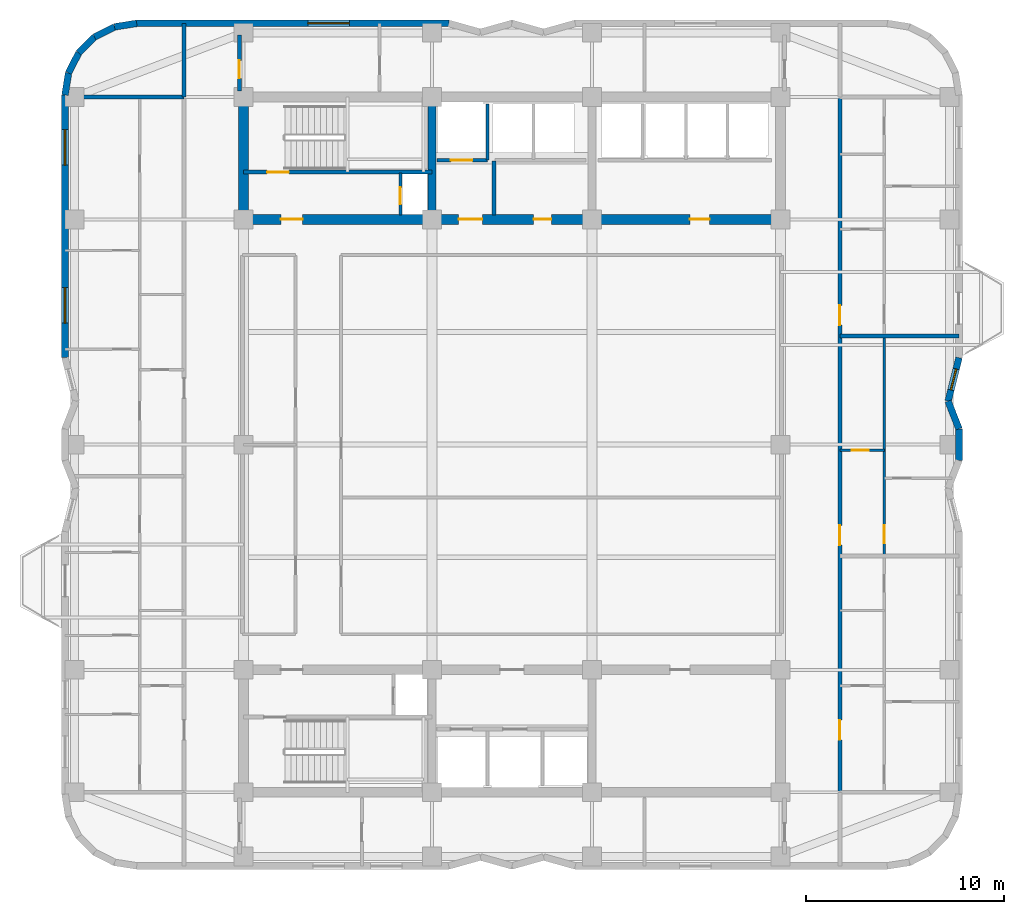
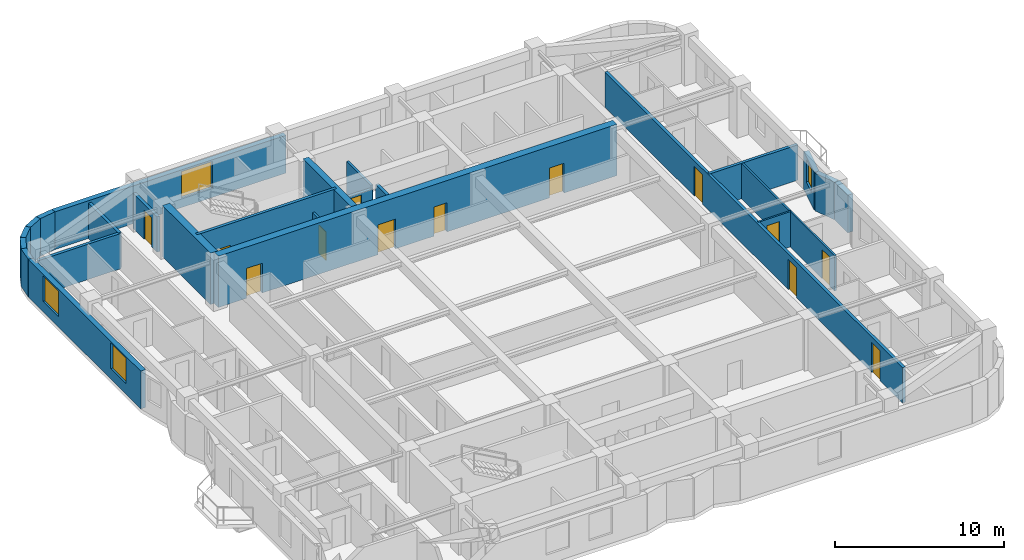
# One storey, part 5 of 8: 25 walls, 13 doors, 4 windows, 17 openings.
"""IFC4 building model written with IfcOpenShell, lengths in metres."""

from ifc_helpers import new_model, si_unit, direction, frame, frame_2d, origin, place, context, subcontext, project, spatial, rectangle, extrude, material, layer, layer_set, type_object, element, fill, save


model = new_model("IFC4")

# Units and contexts
model_context = context("Model", 3, precision=1e-05, world=origin(), true_north=direction((0.0, 1.0)))
body_context = subcontext(model_context, "Body", "Model", "MODEL_VIEW")
ifc_project = project(units=[si_unit("LENGTHUNIT", "METRE"), si_unit("AREAUNIT", "SQUARE_METRE"), si_unit("VOLUMEUNIT", "CUBIC_METRE"), si_unit("PLANEANGLEUNIT", "RADIAN"), si_unit("MASSUNIT", "GRAM", prefix="KILO")], contexts=[model_context])

# Site, building, storey
site_placement = place(None, origin())
site = spatial("IfcSite", under=ifc_project, at=site_placement, CompositionType="ELEMENT")
building_placement = place(site_placement, origin())
building = spatial("IfcBuilding", under=site, at=building_placement, Name="Svetorya Sky Lyceum", CompositionType="ELEMENT")
storey_placement = place(building_placement, frame((0.0, 0.0, 147.800048828125)))
storey = spatial("IfcBuildingStorey", under=building, at=storey_placement, Name="L36", CompositionType="ELEMENT", Elevation=147.800048828125)

# Walls
ifc_material_1 = material(Name="Concrete C40/50", Category="concrete")
ifc_layer_1 = layer(ifc_material_1, 0.39990234375)
ifc_layer_set_1 = layer_set([ifc_layer_1], Name="Concrete C40/50")
wall_type_1 = type_object("IfcWallType", Name="WL-CORE-400", PredefinedType="SHEAR", material=ifc_layer_set_1)
wall_1_placement = place(storey_placement, frame((35.14990234375, 39.85009765625, 0.0), z_axis=(0.0, 0.0, 1.0), x_axis=(0.0, 1.0, 0.0)))
element("IfcWall", 1, at=wall_1_placement, inside=storey, type_object=wall_type_1, Name="L36 NC Internal Shear Web WEB1", PredefinedType="SHEAR", context=body_context, shape_type="SweptSolid", body=[
    extrude(rectangle(XDim=5.699951171875, YDim=0.39990234375, at=frame_2d((2.85009765625, 0.0))), origin(), (0.0, 0.0, 1.0), 3.699951171875),
])
ifc_material_2 = material(Name="Concrete C50/60", Category="concrete")
ifc_layer_2 = layer(ifc_material_2, 0.5)
ifc_layer_set_2 = layer_set([ifc_layer_2], Name="Concrete C50/60")
wall_type_2 = type_object("IfcWallType", Name="WL-CORE-500", PredefinedType="SHEAR", material=ifc_layer_set_2)
wall_2_placement = place(storey_placement, frame((25.60009765625, 39.85009765625, 0.0), z_axis=(0.0, 0.0, 1.0), x_axis=(0.0, 1.0, 0.0)))
element("IfcWall", 2, at=wall_2_placement, inside=storey, type_object=wall_type_2, Name="L36 NC West Core Shear Wall", PredefinedType="SHEAR", context=body_context, shape_type="SweptSolid", body=[
    extrude(rectangle(XDim=5.699951171875, YDim=0.5, at=frame_2d((2.85009765625, 0.0))), origin(), (0.0, 0.0, 1.0), 3.699951171875),
])

# Wall, openings, doors
wall_3_placement = place(storey_placement, frame((52.800048828125, 39.60009765625, 0.0), z_axis=(0.0, 0.0, 1.0), x_axis=(-1.0, 0.0, 0.0)))
wall_3 = element("IfcWall", 3, at=wall_3_placement, inside=storey, type_object=wall_type_2, Name="L36 NC Inner Core Shear Wall", PredefinedType="SHEAR", context=body_context, shape_type="SweptSolid", body=[
    extrude(rectangle(XDim=27.199951171875, YDim=0.5, at=frame_2d((13.60009765625, 0.0))), origin(), (0.0, 0.0, 1.0), 3.699951171875),
])
opening_1_placement = place(wall_3_placement, frame((24.199951171875, 0.0, 0.0)))
opening_1 = element("IfcOpeningElement", 4, at=opening_1_placement, cuts=wall_3, Name="Opening D-ST1", PredefinedType="OPENING", context=body_context, shape_type="SweptSolid", body=[
    extrude(rectangle(XDim=1.10009765625, YDim=2.14990234375, at=frame_2d((0.550048828125, 1.074951171875))), frame((0.0, 0.260009765625, 0.0), z_axis=(0.0, -1.0, 0.0), x_axis=(1.0, 0.0, 0.0)), (0.0, 0.0, 1.0), 0.52001953125),
])
opening_2_placement = place(wall_3_placement, frame((15.10009765625, 0.0, 0.0)))
opening_2 = element("IfcOpeningElement", 5, at=opening_2_placement, cuts=wall_3, Name="Opening D-FL1", PredefinedType="OPENING", context=body_context, shape_type="SweptSolid", body=[
    extrude(rectangle(XDim=1.199951171875, YDim=2.14990234375, at=frame_2d((0.60009765625, 1.074951171875))), frame((0.0, 0.260009765625, 0.0), z_axis=(0.0, -1.0, 0.0), x_axis=(1.0, 0.0, 0.0)), (0.0, 0.0, 1.0), 0.52001953125),
])
opening_3_placement = place(wall_3_placement, frame((11.60009765625, 0.0, 0.0)))
opening_3 = element("IfcOpeningElement", 6, at=opening_3_placement, cuts=wall_3, Name="Opening D-RM1", PredefinedType="OPENING", context=body_context, shape_type="SweptSolid", body=[
    extrude(rectangle(XDim=0.89990234375, YDim=2.10009765625, at=frame_2d((0.449951171875, 1.050048828125))), frame((0.0, 0.260009765625, 0.0), z_axis=(0.0, -1.0, 0.0), x_axis=(1.0, 0.0, 0.0)), (0.0, 0.0, 1.0), 0.52001953125),
])
opening_4_placement = place(wall_3_placement, frame((3.60009765625, 0.0, 0.0)))
opening_4 = element("IfcOpeningElement", 7, at=opening_4_placement, cuts=wall_3, Name="Opening D-RM2", PredefinedType="OPENING", context=body_context, shape_type="SweptSolid", body=[
    extrude(rectangle(XDim=1.0, YDim=2.14990234375, at=frame_2d((0.5, 1.074951171875))), frame((0.0, 0.260009765625, 0.0), z_axis=(0.0, -1.0, 0.0), x_axis=(1.0, 0.0, 0.0)), (0.0, 0.0, 1.0), 0.52001953125),
])
ifc_material_3 = material(Name="Powder-coated insulated galvanized stair fire door")
door_type_1 = type_object("IfcDoorType", Name="DR-FIRE-1100", OperationType="SINGLE_SWING_LEFT", PredefinedType="DOOR", material=ifc_material_3)
door_1_placement = place(opening_1_placement, origin())
door_1 = element("IfcDoor", 8, at=door_1_placement, inside=storey, type_object=door_type_1, Name="L36 North Stair Airlock Door", OperationType="SINGLE_SWING_LEFT", OverallHeight=2.14990234375, OverallWidth=1.10009765625, PredefinedType="DOOR", context=body_context, shape_type="SweptSolid", body=[
    extrude(rectangle(XDim=1.10009765625, YDim=2.14990234375, at=frame_2d((0.550048828125, 1.074951171875))), frame((0.0, 0.02490234375, 0.0), z_axis=(0.0, -1.0, 0.0), x_axis=(1.0, 0.0, 0.0)), (0.0, 0.0, 1.0), 0.050048828125),
])
fill(opening_1, door_1)
ifc_material_4 = material(Name="Powder-coated insulated galvanized fire door")
door_type_2 = type_object("IfcDoorType", Name="DR-FIRE-1200", OperationType="SINGLE_SWING_LEFT", PredefinedType="DOOR", material=ifc_material_4)
door_2_placement = place(opening_2_placement, origin())
door_2 = element("IfcDoor", 9, at=door_2_placement, inside=storey, type_object=door_type_2, Name="L36 North Firefighting Lift Lobby Door", OperationType="SINGLE_SWING_RIGHT", OverallHeight=2.14990234375, OverallWidth=1.199951171875, PredefinedType="DOOR", context=body_context, shape_type="SweptSolid", body=[
    extrude(rectangle(XDim=1.199951171875, YDim=2.14990234375, at=frame_2d((0.60009765625, 1.074951171875))), frame((0.0, 0.02490234375, 0.0), z_axis=(0.0, -1.0, 0.0), x_axis=(1.0, 0.0, 0.0)), (0.0, 0.0, 1.0), 0.050048828125),
])
fill(opening_2, door_2)
ifc_material_5 = material(Name="Solid-core oak acoustic room door")
door_type_3 = type_object("IfcDoorType", Name="DR-INT-1000", OperationType="SINGLE_SWING_LEFT", PredefinedType="DOOR", material=ifc_material_5)
door_3_placement = place(opening_4_placement, origin())
door_3 = element("IfcDoor", 10, at=door_3_placement, inside=storey, type_object=door_type_3, Name="L36 North Trunk Store Door", OperationType="SINGLE_SWING_LEFT", OverallHeight=2.14990234375, OverallWidth=1.0, PredefinedType="DOOR", context=body_context, shape_type="SweptSolid", body=[
    extrude(rectangle(XDim=1.0, YDim=2.14990234375, at=frame_2d((0.5, 1.074951171875))), frame((0.0, 0.02490234375, 0.0), z_axis=(0.0, -1.0, 0.0), x_axis=(1.0, 0.0, 0.0)), (0.0, 0.0, 1.0), 0.050048828125),
])
fill(opening_4, door_3)
ifc_material_6 = material(Name="Lacquered birch veneer internal door")
door_type_4 = type_object("IfcDoorType", Name="DR-INT-900", OperationType="SINGLE_SWING_LEFT", PredefinedType="DOOR", material=ifc_material_6)
door_4_placement = place(opening_3_placement, origin())
door_4 = element("IfcDoor", 11, at=door_4_placement, inside=storey, type_object=door_type_4, Name="L36 North Equipment Store Door", OperationType="SINGLE_SWING_LEFT", OverallHeight=2.10009765625, OverallWidth=0.89990234375, PredefinedType="DOOR", context=body_context, shape_type="SweptSolid", body=[
    extrude(rectangle(XDim=0.89990234375, YDim=2.10009765625, at=frame_2d((0.449951171875, 1.050048828125))), frame((0.0, 0.02490234375, 0.0), z_axis=(0.0, -1.0, 0.0), x_axis=(1.0, 0.0, 0.0)), (0.0, 0.0, 1.0), 0.050048828125),
])
fill(opening_3, door_4)

# Walls
ifc_material_7 = material(Name="Putilovo limestone rainscreen on autoclaved cellular masonry", Category="masonry")
ifc_layer_3 = layer(ifc_material_7, 0.340087890625)
ifc_layer_set_3 = layer_set([ifc_layer_3], Name="Putilovo limestone rainscreen on autoclaved cellular masonry")
wall_type_3 = type_object("IfcWallType", Name="WL-EXT-340", PredefinedType="SOLIDWALL", material=ifc_layer_set_3)
wall_4_placement = place(storey_placement, frame((61.830078125, 27.39990234375, 0.0), z_axis=(0.0, 0.0, 1.0), x_axis=(0.0, 1.0, 0.0)))
element("IfcWall", 12, at=wall_4_placement, inside=storey, type_object=wall_type_3, Name="L36 Limestone Exterior Wall 20M", PredefinedType="SOLIDWALL", context=body_context, shape_type="SweptSolid", body=[
    extrude(rectangle(XDim=1.60009765625, YDim=0.340087890625, at=frame_2d((0.800048828125, 0.0))), origin(), (0.0, 0.0, 1.0), 2.719970703125),
])
wall_5_placement = place(storey_placement, frame((61.830078125, 29.0, 0.0), z_axis=(0.0, 0.0, 1.0), x_axis=(-0.365702591843, 0.930731762818, 0.0)))
element("IfcWall", 13, at=wall_5_placement, inside=storey, type_object=wall_type_3, Name="L36 Limestone Exterior Wall 21M", PredefinedType="SOLIDWALL", context=body_context, shape_type="SweptSolid", body=[
    extrude(rectangle(XDim=1.504150390625, YDim=0.340087890625, at=frame_2d((0.751953125, 0.0))), origin(), (0.0, 0.0, 1.0), 2.719970703125),
])

# Wall, opening, window
wall_6_placement = place(storey_placement, frame((61.280029296875, 30.39990234375, 0.0), z_axis=(0.0, 0.0, 1.0), x_axis=(0.242535625036, 0.970142500145, 0.0)))
wall_6 = element("IfcWall", 14, at=wall_6_placement, inside=storey, type_object=wall_type_3, Name="L36 Limestone Exterior Wall 22M", PredefinedType="SOLIDWALL", context=body_context, shape_type="SweptSolid", body=[
    extrude(rectangle(XDim=2.267822265625, YDim=0.340087890625, at=frame_2d((1.1337890625, 0.0))), origin(), (0.0, 0.0, 1.0), 2.719970703125),
])
opening_5_placement = place(wall_6_placement, frame((0.583984375, 0.0, 0.909912109375)))
opening_5 = element("IfcOpeningElement", 15, at=opening_5_placement, cuts=wall_6, Name="Opening W-R3", PredefinedType="OPENING", context=body_context, shape_type="SweptSolid", body=[
    extrude(rectangle(XDim=1.10009765625, YDim=1.64990234375, at=frame_2d((0.550048828125, 0.824951171875))), frame((0.0, 0.179931640625, 0.0), z_axis=(0.0, -1.0, 0.0), x_axis=(1.0, 0.0, 0.0)), (0.0, 0.0, 1.0), 0.360107421875),
])
ifc_material_8 = material(Name="Thermally broken aluminium frame with triple low-E glazing", Category="aluminium")
window_type_1 = type_object("IfcWindowType", Name="WN-RES-110", PartitioningType="SINGLE_PANEL", PredefinedType="WINDOW", material=ifc_material_8)
window_1_placement = place(opening_5_placement, origin())
window_1 = element("IfcWindow", 16, at=window_1_placement, inside=storey, type_object=window_type_1, Name="L36 Facade Window W-R3.22M.1", OverallHeight=1.64990234375, OverallWidth=1.10009765625, PartitioningType="SINGLE_PANEL", PredefinedType="WINDOW", context=body_context, shape_type="SweptSolid", body=[
    extrude(rectangle(XDim=1.10009765625, YDim=1.64990234375, at=frame_2d((0.550048828125, 0.824951171875))), frame((0.0, 0.030029296875, 0.0), z_axis=(0.0, -1.0, 0.0), x_axis=(1.0, 0.0, 0.0)), (0.0, 0.0, 1.0), 0.06005859375),
])
fill(opening_5, window_1)

wall_7_placement = place(storey_placement, frame((36.0, 49.530029296875, 0.0), z_axis=(0.0, 0.0, 1.0), x_axis=(-1.0, 0.0, 0.0)))
wall_7 = element("IfcWall", 17, at=wall_7_placement, inside=storey, type_object=wall_type_3, Name="L36 Limestone Exterior Wall 34M", PredefinedType="SOLIDWALL", context=body_context, shape_type="SweptSolid", body=[
    extrude(rectangle(XDim=15.800048828125, YDim=0.340087890625, at=frame_2d((7.89990234375, 0.0))), origin(), (0.0, 0.0, 1.0), 2.719970703125),
])
opening_6_placement = place(wall_7_placement, frame((5.03759765625, 0.0, 0.699951171875)))
opening_6 = element("IfcOpeningElement", 18, at=opening_6_placement, cuts=wall_7, Name="Opening W-R0", PredefinedType="OPENING", context=body_context, shape_type="SweptSolid", body=[
    extrude(rectangle(XDim=2.10009765625, YDim=1.89990234375, at=frame_2d((1.050048828125, 0.949951171875))), frame((0.0, 0.179931640625, 0.0), z_axis=(0.0, -1.0, 0.0), x_axis=(1.0, 0.0, 0.0)), (0.0, 0.0, 1.0), 0.360107421875),
])
window_type_2 = type_object("IfcWindowType", Name="WN-RES-210", PartitioningType="TRIPLE_PANEL_VERTICAL", PredefinedType="WINDOW", material=ifc_material_8)
window_2_placement = place(opening_6_placement, origin())
window_2 = element("IfcWindow", 19, at=window_2_placement, inside=storey, type_object=window_type_2, Name="L36 Facade Window W-R0.34M.1", OverallHeight=1.89990234375, OverallWidth=2.10009765625, PartitioningType="SINGLE_PANEL", PredefinedType="WINDOW", context=body_context, shape_type="SweptSolid", body=[
    extrude(rectangle(XDim=2.10009765625, YDim=1.89990234375, at=frame_2d((1.050048828125, 0.949951171875))), frame((0.0, 0.030029296875, 0.0), z_axis=(0.0, -1.0, 0.0), x_axis=(1.0, 0.0, 0.0)), (0.0, 0.0, 1.0), 0.06005859375),
])
fill(opening_6, window_2)

# Walls
wall_8_placement = place(storey_placement, frame((20.199951171875, 49.530029296875, 0.0), z_axis=(0.0, 0.0, 1.0), x_axis=(-0.987675651954, -0.156514556949, 0.0)))
element("IfcWall", 20, at=wall_8_placement, inside=storey, type_object=wall_type_3, Name="L36 Limestone Exterior Wall 35M", PredefinedType="SOLIDWALL", context=body_context, shape_type="SweptSolid", body=[
    extrude(rectangle(XDim=1.135498046875, YDim=0.340087890625, at=frame_2d((0.56787109375, 0.0))), origin(), (0.0, 0.0, 1.0), 2.719970703125),
])
for number, where, z_axis, x_axis, name in (
    (21, (19.078369140625, 49.352294921875, 0.0), (0.0, 0.0, 1.0), (-0.891005044957, -0.453993402883, 0.0), "L36 Limestone Exterior Wall 36M"),
    (22, (18.06640625, 48.836669921875, 0.0), (0.0, 0.0, 1.0), (-0.707214252388, -0.706999293649, 0.0), "L36 Limestone Exterior Wall 37M"),
    (23, (17.26318359375, 48.03369140625, 0.0), (0.0, 0.0, 1.0), (-0.453822724105, -0.891091990249, 0.0), "L36 Limestone Exterior Wall 38M"),
    (24, (16.747802734375, 47.021728515625, 0.0), (0.0, 0.0, 1.0), (-0.156481329164, -0.987680916907, 0.0), "L36 Limestone Exterior Wall 39M"),
):
    element("IfcWall", number, at=place(storey_placement, frame(where, z_axis=z_axis, x_axis=x_axis)), inside=storey, type_object=wall_type_3, Name=name, PredefinedType="SOLIDWALL", context=body_context, shape_type="SweptSolid", body=[
        extrude(rectangle(XDim=1.1357421875, YDim=0.340087890625, at=frame_2d((0.56787109375, 0.0))), origin(), (0.0, 0.0, 1.0), 2.719970703125),
    ])

# Wall, openings, windows
wall_9_placement = place(storey_placement, frame((16.570068359375, 45.89990234375, 0.0), z_axis=(0.0, 0.0, 1.0), x_axis=(0.0, -1.0, 0.0)))
wall_9 = element("IfcWall", 25, at=wall_9_placement, inside=storey, type_object=wall_type_3, Name="L36 Limestone Exterior Wall 40M", PredefinedType="SOLIDWALL", context=body_context, shape_type="SweptSolid", body=[
    extrude(rectangle(XDim=13.2998046875, YDim=0.340087890625, at=frame_2d((6.64990234375, 0.0))), origin(), (0.0, 0.0, 1.0), 2.719970703125),
])
opening_7_placement = place(wall_9_placement, frame((1.75, 0.0, 0.75)))
opening_7 = element("IfcOpeningElement", 26, at=opening_7_placement, cuts=wall_9, Name="Opening W-R1", PredefinedType="OPENING", context=body_context, shape_type="SweptSolid", body=[
    extrude(rectangle(XDim=1.800048828125, YDim=1.85009765625, at=frame_2d((0.89990234375, 0.925048828125))), frame((0.0, 0.179931640625, 0.0), z_axis=(0.0, -1.0, 0.0), x_axis=(1.0, 0.0, 0.0)), (0.0, 0.0, 1.0), 0.360107421875),
])
opening_8_placement = place(wall_9_placement, frame((9.75, 0.0, 0.75)))
opening_8 = element("IfcOpeningElement", 27, at=opening_8_placement, cuts=wall_9, Name="Opening W-R1", PredefinedType="OPENING", context=body_context, shape_type="SweptSolid", body=[
    extrude(rectangle(XDim=1.800048828125, YDim=1.85009765625, at=frame_2d((0.89990234375, 0.925048828125))), frame((0.0, 0.179931640625, 0.0), z_axis=(0.0, -1.0, 0.0), x_axis=(1.0, 0.0, 0.0)), (0.0, 0.0, 1.0), 0.360107421875),
])
window_type_3 = type_object("IfcWindowType", Name="WN-RES-180", PartitioningType="DOUBLE_PANEL_VERTICAL", PredefinedType="WINDOW", material=ifc_material_8)
window_3_placement = place(opening_7_placement, origin())
window_3 = element("IfcWindow", 28, at=window_3_placement, inside=storey, type_object=window_type_3, Name="L36 Facade Window W-R1.40M.1", OverallHeight=1.85009765625, OverallWidth=1.800048828125, PartitioningType="SINGLE_PANEL", PredefinedType="WINDOW", context=body_context, shape_type="SweptSolid", body=[
    extrude(rectangle(XDim=1.800048828125, YDim=1.85009765625, at=frame_2d((0.89990234375, 0.925048828125))), frame((0.0, 0.030029296875, 0.0), z_axis=(0.0, -1.0, 0.0), x_axis=(1.0, 0.0, 0.0)), (0.0, 0.0, 1.0), 0.06005859375),
])
fill(opening_7, window_3)
window_4_placement = place(opening_8_placement, origin())
window_4 = element("IfcWindow", 29, at=window_4_placement, inside=storey, type_object=window_type_3, Name="L36 Facade Window W-R1.40M.2", OverallHeight=1.85009765625, OverallWidth=1.800048828125, PartitioningType="SINGLE_PANEL", PredefinedType="WINDOW", context=body_context, shape_type="SweptSolid", body=[
    extrude(rectangle(XDim=1.800048828125, YDim=1.85009765625, at=frame_2d((0.89990234375, 0.925048828125))), frame((0.0, 0.030029296875, 0.0), z_axis=(0.0, -1.0, 0.0), x_axis=(1.0, 0.0, 0.0)), (0.0, 0.0, 1.0), 0.06005859375),
])
fill(opening_8, window_4)

# Wall, opening, door
ifc_material_9 = material(Name="Twin-stud galvanized framing with double fireboard", Category="gypsum")
ifc_layer_4 = layer(ifc_material_9, 0.1201171875)
ifc_layer_set_4 = layer_set([ifc_layer_4], Name="Twin-stud galvanized framing with double fireboard")
wall_type_4 = type_object("IfcWallType", Name="WL-PART-120", PredefinedType="PARTITIONING", material=ifc_layer_set_4)
wall_10_placement = place(storey_placement, frame((55.800048828125, 27.907958984375, 0.0), z_axis=(0.0, 0.0, 1.0), x_axis=(1.0, 0.0, 0.0)))
wall_10 = element("IfcWall", 30, at=wall_10_placement, inside=storey, type_object=wall_type_4, Name="L36 Interior Partition E2-WH1", PredefinedType="PARTITIONING", context=body_context, shape_type="SweptSolid", body=[
    extrude(rectangle(XDim=2.25, YDim=0.1201171875, at=frame_2d((1.125, 0.0))), origin(), (0.0, 0.0, 1.0), 2.550048828125),
])
opening_9_placement = place(wall_10_placement, frame((0.60009765625, 0.0, 0.0)))
opening_9 = element("IfcOpeningElement", 31, at=opening_9_placement, cuts=wall_10, Name="Opening D-BT1", PredefinedType="OPENING", context=body_context, shape_type="SweptSolid", body=[
    extrude(rectangle(XDim=0.85009765625, YDim=2.10009765625, at=frame_2d((0.425048828125, 1.050048828125))), frame((0.0, 0.070068359375, 0.0), z_axis=(0.0, -1.0, 0.0), x_axis=(1.0, 0.0, 0.0)), (0.0, 0.0, 1.0), 0.14013671875),
])
ifc_material_10 = material(Name="Moisture-resistant laminate bathroom door")
door_type_5 = type_object("IfcDoorType", Name="DR-WET-850", OperationType="SINGLE_SWING_LEFT", PredefinedType="DOOR", material=ifc_material_10)
door_5_placement = place(opening_9_placement, origin())
door_5 = element("IfcDoor", 32, at=door_5_placement, inside=storey, type_object=door_type_5, Name="Apartment E2 Bathroom Door", OperationType="SINGLE_SWING_LEFT", OverallHeight=2.10009765625, OverallWidth=0.85009765625, PredefinedType="DOOR", context=body_context, shape_type="SweptSolid", body=[
    extrude(rectangle(XDim=0.85009765625, YDim=2.10009765625, at=frame_2d((0.425048828125, 1.050048828125))), frame((0.0, 0.02490234375, 0.0), z_axis=(0.0, -1.0, 0.0), x_axis=(1.0, 0.0, 0.0)), (0.0, 0.0, 1.0), 0.050048828125),
])
fill(opening_9, door_5)

wall_11_placement = place(storey_placement, frame((58.050048828125, 22.60791015625, 0.0), z_axis=(0.0, 0.0, 1.0), x_axis=(0.0, 1.0, 0.0)))
wall_11 = element("IfcWall", 33, at=wall_11_placement, inside=storey, type_object=wall_type_4, Name="L36 Interior Partition E2-WV", PredefinedType="PARTITIONING", context=body_context, shape_type="SweptSolid", body=[
    extrude(rectangle(XDim=11.052001953125, YDim=0.1201171875, at=frame_2d((5.52587890625, 0.0))), origin(), (0.0, 0.0, 1.0), 2.550048828125),
])
opening_10_placement = place(wall_11_placement, frame((0.610107421875, 0.0, 0.0)))
opening_10 = element("IfcOpeningElement", 34, at=opening_10_placement, cuts=wall_11, Name="Opening D-RM1", PredefinedType="OPENING", context=body_context, shape_type="SweptSolid", body=[
    extrude(rectangle(XDim=0.89990234375, YDim=2.10009765625, at=frame_2d((0.449951171875, 1.050048828125))), frame((0.0, 0.070068359375, 0.0), z_axis=(0.0, -1.0, 0.0), x_axis=(1.0, 0.0, 0.0)), (0.0, 0.0, 1.0), 0.14013671875),
])
door_6_placement = place(opening_10_placement, origin())
door_6 = element("IfcDoor", 35, at=door_6_placement, inside=storey, type_object=door_type_4, Name="Apartment E2 Living Door", OperationType="SINGLE_SWING_RIGHT", OverallHeight=2.10009765625, OverallWidth=0.89990234375, PredefinedType="DOOR", context=body_context, shape_type="SweptSolid", body=[
    extrude(rectangle(XDim=0.89990234375, YDim=2.10009765625, at=frame_2d((0.449951171875, 1.050048828125))), frame((0.0, 0.02490234375, 0.0), z_axis=(0.0, -1.0, 0.0), x_axis=(1.0, 0.0, 0.0)), (0.0, 0.0, 1.0), 0.050048828125),
])
fill(opening_10, door_6)

ifc_material_11 = material(Name="Autoclaved cellular masonry blockwork with acoustic render", Category="masonry")
ifc_layer_5 = layer(ifc_material_11, 0.14990234375)
ifc_layer_set_5 = layer_set([ifc_layer_5], Name="Autoclaved cellular masonry blockwork with acoustic render")
wall_type_5 = type_object("IfcWallType", Name="WL-PART-150", PredefinedType="PARTITIONING", material=ifc_layer_set_5)
wall_12_placement = place(storey_placement, frame((33.550048828125, 39.820068359375, 0.0), z_axis=(0.0, 0.0, 1.0), x_axis=(0.0, 1.0, 0.0)))
wall_12 = element("IfcWall", 36, at=wall_12_placement, inside=storey, type_object=wall_type_5, Name="L36 Interior Partition NC-RSRW", PredefinedType="PARTITIONING", context=body_context, shape_type="SweptSolid", body=[
    extrude(rectangle(XDim=2.1298828125, YDim=0.14990234375, at=frame_2d((1.06494140625, 0.0))), origin(), (0.0, 0.0, 1.0), 2.550048828125),
])
opening_11_placement = place(wall_12_placement, frame((0.550048828125, 0.0, 0.0)))
opening_11 = element("IfcOpeningElement", 37, at=opening_11_placement, cuts=wall_12, Name="Opening D-SH1", PredefinedType="OPENING", context=body_context, shape_type="SweptSolid", body=[
    extrude(rectangle(XDim=0.85009765625, YDim=2.050048828125, at=frame_2d((0.425048828125, 1.02490234375))), frame((0.0, 0.0849609375, 0.0), z_axis=(0.0, -1.0, 0.0), x_axis=(1.0, 0.0, 0.0)), (0.0, 0.0, 1.0), 0.169921875),
])
ifc_material_12 = material(Name="Insulated galvanized riser inspection fire door")
door_type_6 = type_object("IfcDoorType", Name="DR-SHFT-850", OperationType="SINGLE_SWING_LEFT", PredefinedType="TRAPDOOR", material=ifc_material_12)
door_7_placement = place(opening_11_placement, origin())
door_7 = element("IfcDoor", 38, at=door_7_placement, inside=storey, type_object=door_type_6, Name="L36 North Riser Access Door", OperationType="SINGLE_SWING_LEFT", OverallHeight=2.050048828125, OverallWidth=0.85009765625, PredefinedType="TRAPDOOR", context=body_context, shape_type="SweptSolid", body=[
    extrude(rectangle(XDim=0.85009765625, YDim=2.050048828125, at=frame_2d((0.425048828125, 1.02490234375))), frame((0.0, 0.02490234375, 0.0), z_axis=(0.0, -1.0, 0.0), x_axis=(1.0, 0.0, 0.0)), (0.0, 0.0, 1.0), 0.050048828125),
])
fill(opening_11, door_7)

# Wall
wall_13_placement = place(storey_placement, frame((37.949951171875, 42.60009765625, 0.0), z_axis=(0.0, 0.0, 1.0), x_axis=(0.0, 1.0, 0.0)))
element("IfcWall", 39, at=wall_13_placement, inside=storey, type_object=wall_type_5, Name="L36 Interior Partition NC-FL1SIDE", PredefinedType="PARTITIONING", context=body_context, shape_type="SweptSolid", body=[
    extrude(rectangle(XDim=2.849853515625, YDim=0.14990234375, at=frame_2d((1.4248046875, 0.0))), origin(), (0.0, 0.0, 1.0), 2.550048828125),
])

# Wall, opening, door
ifc_material_13 = material(Name="Autoclaved cellular masonry blockwork with gypsum plaster", Category="masonry")
ifc_layer_6 = layer(ifc_material_13, 0.199951171875)
ifc_layer_set_6 = layer_set([ifc_layer_6], Name="Autoclaved cellular masonry blockwork with gypsum plaster")
wall_type_6 = type_object("IfcWallType", Name="WL-PART-200", PredefinedType="PARTITIONING", material=ifc_layer_set_6)
wall_14_placement = place(storey_placement, frame((37.949951171875, 42.60009765625, 0.0), z_axis=(0.0, 0.0, 1.0), x_axis=(-1.0, 0.0, 0.0)))
wall_14 = element("IfcWall", 40, at=wall_14_placement, inside=storey, type_object=wall_type_6, Name="L36 Interior Partition NC-FL1W", PredefinedType="PARTITIONING", context=body_context, shape_type="SweptSolid", body=[
    extrude(rectangle(XDim=2.550048828125, YDim=0.199951171875, at=frame_2d((1.27490234375, 0.0))), origin(), (0.0, 0.0, 1.0), 2.320068359375),
])
opening_12_placement = place(wall_14_placement, frame((0.75, 0.0, 0.0)))
opening_12 = element("IfcOpeningElement", 41, at=opening_12_placement, cuts=wall_14, Name="Opening LD-FL", PredefinedType="OPENING", context=body_context, shape_type="SweptSolid", body=[
    extrude(rectangle(XDim=1.10009765625, YDim=2.14990234375, at=frame_2d((0.550048828125, 1.074951171875))), frame((0.0, 0.10986328125, 0.0), z_axis=(0.0, -1.0, 0.0), x_axis=(1.0, 0.0, 0.0)), (0.0, 0.0, 1.0), 0.219970703125),
])
ifc_material_14 = material(Name="Fire-rated stainless AISI 304 firefighting lift landing door")
door_type_7 = type_object("IfcDoorType", Name="DR-LIFT-1100", OperationType="SLIDING_TO_LEFT", PredefinedType="DOOR", material=ifc_material_14)
door_8_placement = place(opening_12_placement, origin())
door_8 = element("IfcDoor", 42, at=door_8_placement, inside=storey, type_object=door_type_7, Name="L36 Firefighting Lift FL1 Landing Door", OperationType="SLIDING_TO_LEFT", OverallHeight=2.14990234375, OverallWidth=1.10009765625, PredefinedType="DOOR", context=body_context, shape_type="SweptSolid", body=[
    extrude(rectangle(XDim=1.10009765625, YDim=2.14990234375, at=frame_2d((0.550048828125, 1.074951171875))), frame((0.0, 0.02490234375, 0.0), z_axis=(0.0, -1.0, 0.0), x_axis=(1.0, 0.0, 0.0)), (0.0, 0.0, 1.0), 0.050048828125),
])
fill(opening_12, door_8)

# Walls
wall_15_placement = place(storey_placement, frame((38.280029296875, 39.820068359375, 0.0), z_axis=(0.0, 0.0, 1.0), x_axis=(0.0, 1.0, 0.0)))
element("IfcWall", 43, at=wall_15_placement, inside=storey, type_object=wall_type_6, Name="L36 Interior Partition NC-FFLDIV", PredefinedType="PARTITIONING", context=body_context, shape_type="SweptSolid", body=[
    extrude(rectangle(XDim=2.72998046875, YDim=0.199951171875, at=frame_2d((1.364990234375, 0.0))), origin(), (0.0, 0.0, 1.0), 2.550048828125),
])
wall_16_placement = place(storey_placement, frame((16.989990234375, 45.800048828125, 0.0), z_axis=(0.0, 0.0, 1.0), x_axis=(1.0, 0.0, 0.0)))
element("IfcWall", 44, at=wall_16_placement, inside=storey, type_object=wall_type_6, Name="L36 Interior Partition W-CAP-N", PredefinedType="PARTITIONING", context=body_context, shape_type="SweptSolid", body=[
    extrude(rectangle(XDim=5.610107421875, YDim=0.199951171875, at=frame_2d((2.80517578125, 0.0))), origin(), (0.0, 0.0, 1.0), 2.550048828125),
])
wall_17_placement = place(storey_placement, frame((55.800048828125, 33.699951171875, 0.0), z_axis=(0.0, 0.0, 1.0), x_axis=(1.0, 0.0, 0.0)))
element("IfcWall", 45, at=wall_17_placement, inside=storey, type_object=wall_type_6, Name="L36 Interior Partition E-PARTY-2", PredefinedType="PARTITIONING", context=body_context, shape_type="SweptSolid", body=[
    extrude(rectangle(XDim=6.030029296875, YDim=0.199951171875, at=frame_2d((3.01513671875, 0.0))), origin(), (0.0, 0.0, 1.0), 2.550048828125),
])

# Wall, openings, doors
wall_18_placement = place(storey_placement, frame((55.800048828125, 10.60009765625, 0.0), z_axis=(0.0, 0.0, 1.0), x_axis=(0.0, 1.0, 0.0)))
wall_18 = element("IfcWall", 46, at=wall_18_placement, inside=storey, type_object=wall_type_6, Name="L36 Interior Partition E-CORRW", PredefinedType="PARTITIONING", context=body_context, shape_type="SweptSolid", body=[
    extrude(rectangle(XDim=35.199951171875, YDim=0.199951171875, at=frame_2d((17.60009765625, 0.0))), origin(), (0.0, 0.0, 1.0), 2.550048828125),
])
opening_13_placement = place(wall_18_placement, frame((2.64990234375, 0.0, 0.0)))
opening_13 = element("IfcOpeningElement", 47, at=opening_13_placement, cuts=wall_18, Name="Opening D-APT1", PredefinedType="OPENING", context=body_context, shape_type="SweptSolid", body=[
    extrude(rectangle(XDim=1.0, YDim=2.14990234375, at=frame_2d((0.5, 1.074951171875))), frame((0.0, 0.10986328125, 0.0), z_axis=(0.0, -1.0, 0.0), x_axis=(1.0, 0.0, 0.0)), (0.0, 0.0, 1.0), 0.219970703125),
])
opening_14_placement = place(wall_18_placement, frame((12.51806640625, 0.0, 0.0)))
opening_14 = element("IfcOpeningElement", 48, at=opening_14_placement, cuts=wall_18, Name="Opening D-APT1", PredefinedType="OPENING", context=body_context, shape_type="SweptSolid", body=[
    extrude(rectangle(XDim=1.0, YDim=2.14990234375, at=frame_2d((0.5, 1.074951171875))), frame((0.0, 0.10986328125, 0.0), z_axis=(0.0, -1.0, 0.0), x_axis=(1.0, 0.0, 0.0)), (0.0, 0.0, 1.0), 0.219970703125),
])
opening_15_placement = place(wall_18_placement, frame((23.64990234375, 0.0, 0.0)))
opening_15 = element("IfcOpeningElement", 49, at=opening_15_placement, cuts=wall_18, Name="Opening D-APT1", PredefinedType="OPENING", context=body_context, shape_type="SweptSolid", body=[
    extrude(rectangle(XDim=1.0, YDim=2.14990234375, at=frame_2d((0.5, 1.074951171875))), frame((0.0, 0.10986328125, 0.0), z_axis=(0.0, -1.0, 0.0), x_axis=(1.0, 0.0, 0.0)), (0.0, 0.0, 1.0), 0.219970703125),
])
ifc_material_15 = material(Name="Insulated oak-veneered apartment entrance door")
door_type_8 = type_object("IfcDoorType", Name="DR-APT-1000", OperationType="SINGLE_SWING_LEFT", PredefinedType="DOOR", material=ifc_material_15)
door_9_placement = place(opening_13_placement, origin())
door_9 = element("IfcDoor", 50, at=door_9_placement, inside=storey, type_object=door_type_8, Name="L36 Apartment E1 Entrance Door", OperationType="SINGLE_SWING_RIGHT", OverallHeight=2.14990234375, OverallWidth=1.0, PredefinedType="DOOR", context=body_context, shape_type="SweptSolid", body=[
    extrude(rectangle(XDim=1.0, YDim=2.14990234375, at=frame_2d((0.5, 1.074951171875))), frame((0.0, 0.02490234375, 0.0), z_axis=(0.0, -1.0, 0.0), x_axis=(1.0, 0.0, 0.0)), (0.0, 0.0, 1.0), 0.050048828125),
])
fill(opening_13, door_9)
door_10_placement = place(opening_14_placement, origin())
door_10 = element("IfcDoor", 51, at=door_10_placement, inside=storey, type_object=door_type_8, Name="L36 Apartment E2 Entrance Door", OperationType="SINGLE_SWING_LEFT", OverallHeight=2.14990234375, OverallWidth=1.0, PredefinedType="DOOR", context=body_context, shape_type="SweptSolid", body=[
    extrude(rectangle(XDim=1.0, YDim=2.14990234375, at=frame_2d((0.5, 1.074951171875))), frame((0.0, 0.02490234375, 0.0), z_axis=(0.0, -1.0, 0.0), x_axis=(1.0, 0.0, 0.0)), (0.0, 0.0, 1.0), 0.050048828125),
])
fill(opening_14, door_10)
door_11_placement = place(opening_15_placement, origin())
door_11 = element("IfcDoor", 52, at=door_11_placement, inside=storey, type_object=door_type_8, Name="L36 Apartment E3 Entrance Door", OperationType="SINGLE_SWING_RIGHT", OverallHeight=2.14990234375, OverallWidth=1.0, PredefinedType="DOOR", context=body_context, shape_type="SweptSolid", body=[
    extrude(rectangle(XDim=1.0, YDim=2.14990234375, at=frame_2d((0.5, 1.074951171875))), frame((0.0, 0.02490234375, 0.0), z_axis=(0.0, -1.0, 0.0), x_axis=(1.0, 0.0, 0.0)), (0.0, 0.0, 1.0), 0.050048828125),
])
fill(opening_15, door_11)

# Wall
wall_19_placement = place(storey_placement, frame((22.60009765625, 45.800048828125, 0.0), z_axis=(0.0, 0.0, 1.0), x_axis=(0.0, 1.0, 0.0)))
element("IfcWall", 53, at=wall_19_placement, inside=storey, type_object=wall_type_6, Name="L36 Interior Partition WC-NW-END", PredefinedType="PARTITIONING", context=body_context, shape_type="SweptSolid", body=[
    extrude(rectangle(XDim=3.72998046875, YDim=0.199951171875, at=frame_2d((1.864990234375, 0.0))), origin(), (0.0, 0.0, 1.0), 2.550048828125),
])

# Wall, opening, door
wall_20_placement = place(storey_placement, frame((25.39990234375, 46.10009765625, 0.0), z_axis=(0.0, 0.0, 1.0), x_axis=(0.0, 1.0, 0.0)))
wall_20 = element("IfcWall", 54, at=wall_20_placement, inside=storey, type_object=wall_type_6, Name="L36 Interior Partition N-EW", PredefinedType="PARTITIONING", context=body_context, shape_type="SweptSolid", body=[
    extrude(rectangle(XDim=2.829833984375, YDim=0.199951171875, at=frame_2d((1.4150390625, 0.0))), origin(), (0.0, 0.0, 1.0), 2.550048828125),
])
opening_16_placement = place(wall_20_placement, frame((0.64990234375, 0.0, 0.0)))
opening_16 = element("IfcOpeningElement", 55, at=opening_16_placement, cuts=wall_20, Name="Opening D-RM1", PredefinedType="OPENING", context=body_context, shape_type="SweptSolid", body=[
    extrude(rectangle(XDim=0.89990234375, YDim=2.10009765625, at=frame_2d((0.449951171875, 1.050048828125))), frame((0.0, 0.10986328125, 0.0), z_axis=(0.0, -1.0, 0.0), x_axis=(1.0, 0.0, 0.0)), (0.0, 0.0, 1.0), 0.219970703125),
])
door_12_placement = place(opening_16_placement, origin())
door_12 = element("IfcDoor", 56, at=door_12_placement, inside=storey, type_object=door_type_4, Name="L36 North Study Door", OperationType="SINGLE_SWING_RIGHT", OverallHeight=2.10009765625, OverallWidth=0.89990234375, PredefinedType="DOOR", context=body_context, shape_type="SweptSolid", body=[
    extrude(rectangle(XDim=0.89990234375, YDim=2.10009765625, at=frame_2d((0.449951171875, 1.050048828125))), frame((0.0, 0.02490234375, 0.0), z_axis=(0.0, -1.0, 0.0), x_axis=(1.0, 0.0, 0.0)), (0.0, 0.0, 1.0), 0.050048828125),
])
fill(opening_16, door_12)

ifc_layer_7 = layer(ifc_material_2, 0.199951171875)
ifc_layer_set_7 = layer_set([ifc_layer_7], Name="Concrete C50/60")
wall_type_7 = type_object("IfcWallType", Name="WL-SHW-200", PredefinedType="SHEAR", material=ifc_layer_set_7)
wall_21_placement = place(storey_placement, frame((35.14990234375, 42.0, 0.0), z_axis=(0.0, 0.0, 1.0), x_axis=(-1.0, 0.0, 0.0)))
wall_21 = element("IfcWall", 57, at=wall_21_placement, inside=storey, type_object=wall_type_7, Name="L36 Structural Stair Shaft Wall NC-STW", PredefinedType="SHEAR", context=body_context, shape_type="SweptSolid", body=[
    extrude(rectangle(XDim=9.5498046875, YDim=0.199951171875, at=frame_2d((4.77490234375, 0.0))), origin(), (0.0, 0.0, 1.0), 3.699951171875),
])
opening_17_placement = place(wall_21_placement, frame((7.25, 0.0, 0.0)))
opening_17 = element("IfcOpeningElement", 58, at=opening_17_placement, cuts=wall_21, Name="Opening D-ST1", PredefinedType="OPENING", context=body_context, shape_type="SweptSolid", body=[
    extrude(rectangle(XDim=1.10009765625, YDim=2.14990234375, at=frame_2d((0.550048828125, 1.074951171875))), frame((0.0, 0.10986328125, 0.0), z_axis=(0.0, -1.0, 0.0), x_axis=(1.0, 0.0, 0.0)), (0.0, 0.0, 1.0), 0.219970703125),
])
door_13_placement = place(opening_17_placement, origin())
door_13 = element("IfcDoor", 59, at=door_13_placement, inside=storey, type_object=door_type_1, Name="L36 Stair ST-N Vestibule Fire Door", OperationType="SINGLE_SWING_RIGHT", OverallHeight=2.14990234375, OverallWidth=1.10009765625, PredefinedType="DOOR", context=body_context, shape_type="SweptSolid", body=[
    extrude(rectangle(XDim=1.10009765625, YDim=2.14990234375, at=frame_2d((0.550048828125, 1.074951171875))), frame((0.0, 0.02490234375, 0.0), z_axis=(0.0, -1.0, 0.0), x_axis=(1.0, 0.0, 0.0)), (0.0, 0.0, 1.0), 0.050048828125),
])
fill(opening_17, door_13)

save(model, "model.ifc")
